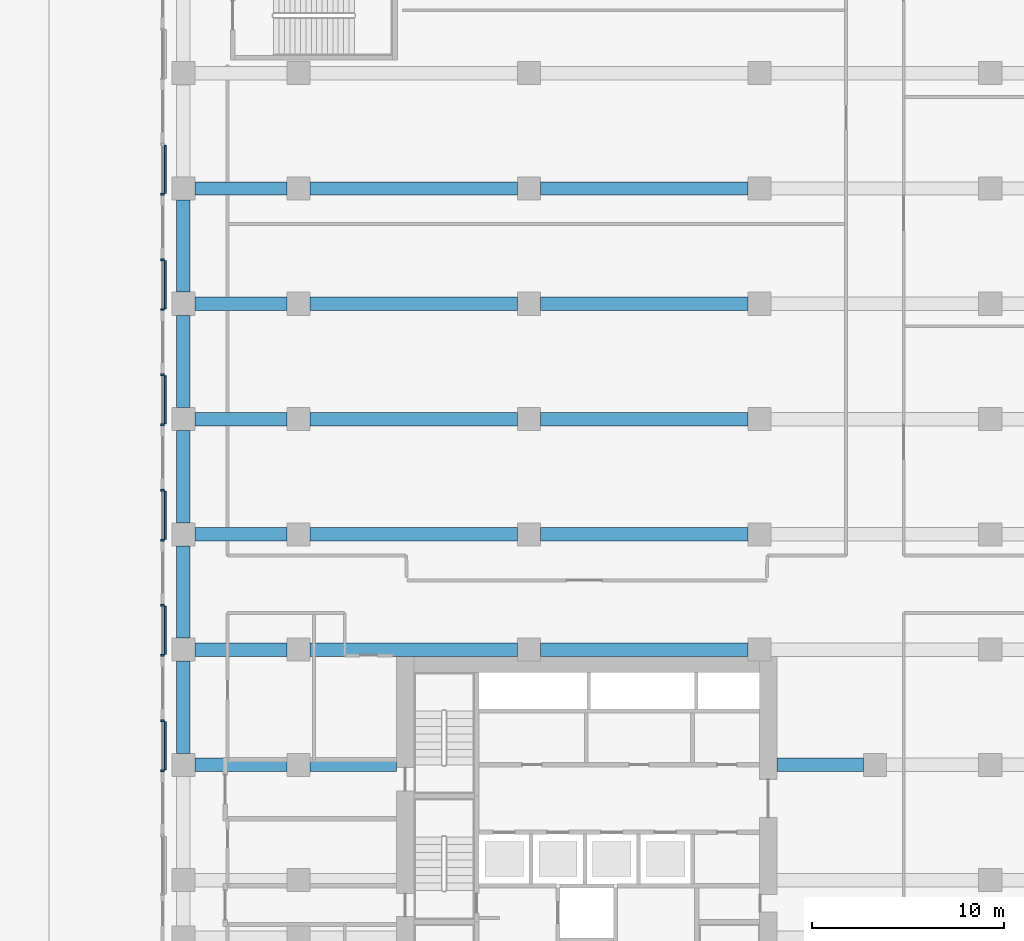
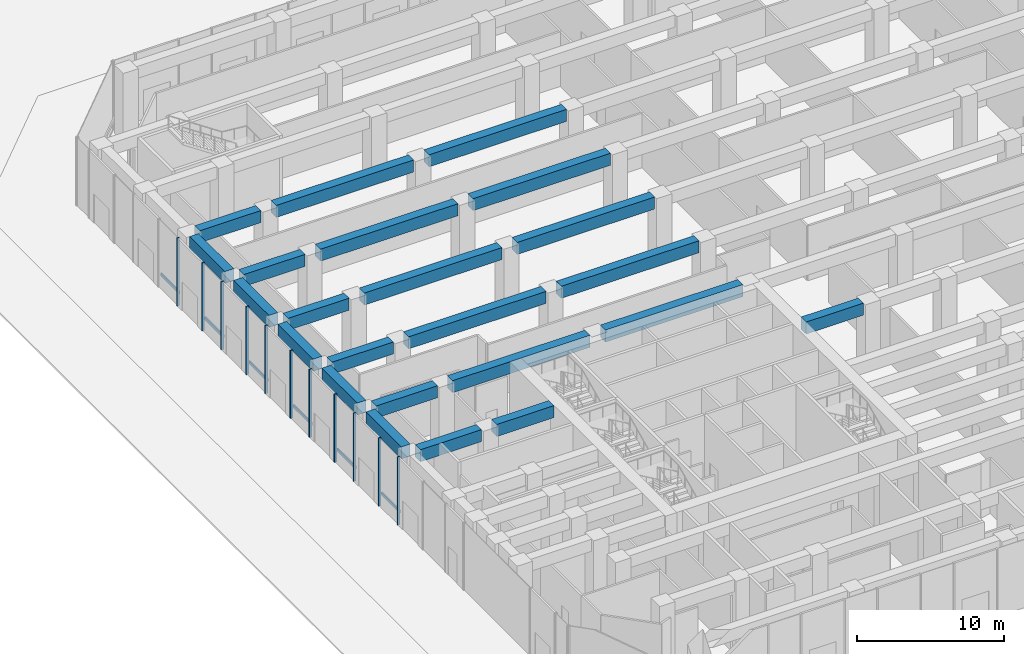
# One storey, part 7 of 32: 23 beams, 17 members, 6 elements without a shape of their own.
"""IFC4 building model written with IfcOpenShell, lengths in metres."""

from ifc_helpers import new_model, si_unit, direction, frame, origin, origin_2d, place, context, subcontext, project, spatial, rectangle, extrude, material, layer, layer_set, material_profile, profile_set, type_object, element, aggregate, save


model = new_model("IFC4")

# Units and contexts
model_context = context("Model", 3, precision=1e-05, world=origin(), true_north=direction((0.0, 1.0)))
body_context = subcontext(model_context, "Body", "Model", "MODEL_VIEW")
ifc_project = project(units=[si_unit("LENGTHUNIT", "METRE"), si_unit("AREAUNIT", "SQUARE_METRE"), si_unit("VOLUMEUNIT", "CUBIC_METRE"), si_unit("PLANEANGLEUNIT", "RADIAN"), si_unit("MASSUNIT", "GRAM", prefix="KILO")], contexts=[model_context])

# Site, building, storey
site_placement = place(None, origin())
site = spatial("IfcSite", under=ifc_project, at=site_placement, CompositionType="ELEMENT")
building_placement = place(site_placement, origin())
building = spatial("IfcBuilding", under=site, at=building_placement, Name="Welwitschia Terrace Campus", CompositionType="ELEMENT")
storey_placement = place(building_placement, origin())
storey = spatial("IfcBuildingStorey", under=building, at=storey_placement, Name="L00", CompositionType="ELEMENT", Elevation=0.0)

# Beams
ifc_material_1 = material(Name="Concrete C60/75", Category="concrete")
ifc_material_profile_1 = material_profile(ifc_material_1, rectangle(XDim=0.699951171875, YDim=1.0, at=origin_2d()))
ifc_profile_set_1 = profile_set([ifc_material_profile_1], Name="Concrete C60/75")
beam_type = type_object("IfcBeamType", Name="Base block beam 700x1000", PredefinedType="BEAM", material=ifc_profile_set_1)
beam_1_placement = place(storey_placement, frame((-5.3994140625, 20.0, 5.14990234375), z_axis=(1.0, 0.0, 0.0), x_axis=(0.0, 1.0, 0.0)))
element("IfcBeam", 1, at=beam_1_placement, inside=storey, type_object=beam_type, Name="Beam BB1", PredefinedType="BEAM", context=body_context, shape_type="SweptSolid", body=[
    extrude(rectangle(XDim=0.699951171875, YDim=1.0, at=origin_2d()), origin(), (0.0, 0.0, 1.0), 4.798828125),
])
for number, where, z_axis, x_axis, name in (
    (2, (0.6005859375, 20.0, 5.14990234375), (1.0, 0.0, 0.0), (0.0, 1.0, 0.0), "Beam BB1"),
    (3, (24.89990234375, 20.0, 5.14990234375), (1.0, 0.0, 0.0), (0.0, 1.0, 0.0), "Beam BB1"),
):
    element("IfcBeam", number, at=place(storey_placement, frame(where, z_axis=z_axis, x_axis=x_axis)), inside=storey, type_object=beam_type, Name=name, PredefinedType="BEAM", context=body_context, shape_type="SweptSolid", body=[
        extrude(rectangle(XDim=0.699951171875, YDim=1.0, at=origin_2d()), origin(), (0.0, 0.0, 1.0), 4.49951171875),
    ])
beam_2_placement = place(storey_placement, frame((-5.3994140625, 26.0, 5.14990234375), z_axis=(1.0, 0.0, 0.0), x_axis=(0.0, 1.0, 0.0)))
element("IfcBeam", 4, at=beam_2_placement, inside=storey, type_object=beam_type, Name="Beam BB1", PredefinedType="BEAM", context=body_context, shape_type="SweptSolid", body=[
    extrude(rectangle(XDim=0.699951171875, YDim=1.0, at=origin_2d()), origin(), (0.0, 0.0, 1.0), 4.798828125),
])
for number, where, z_axis, x_axis, name in (
    (5, (0.6005859375, 26.0, 5.14990234375), (1.0, 0.0, 0.0), (0.0, 1.0, 0.0), "Beam BB1"),
    (6, (12.6005859375, 26.0, 5.14990234375), (1.0, 0.0, 0.0), (0.0, 1.0, 0.0), "Beam BB1"),
):
    element("IfcBeam", number, at=place(storey_placement, frame(where, z_axis=z_axis, x_axis=x_axis)), inside=storey, type_object=beam_type, Name=name, PredefinedType="BEAM", context=body_context, shape_type="SweptSolid", body=[
        extrude(rectangle(XDim=0.699951171875, YDim=1.0, at=origin_2d()), origin(), (0.0, 0.0, 1.0), 10.798828125),
    ])
beam_3_placement = place(storey_placement, frame((-5.3994140625, 32.0, 5.14990234375), z_axis=(1.0, 0.0, 0.0), x_axis=(0.0, 1.0, 0.0)))
element("IfcBeam", 7, at=beam_3_placement, inside=storey, type_object=beam_type, Name="Beam BB1", PredefinedType="BEAM", context=body_context, shape_type="SweptSolid", body=[
    extrude(rectangle(XDim=0.699951171875, YDim=1.0, at=origin_2d()), origin(), (0.0, 0.0, 1.0), 4.798828125),
])
for number, where, z_axis, x_axis, name in (
    (8, (0.6005859375, 32.0, 5.14990234375), (1.0, 0.0, 0.0), (0.0, 1.0, 0.0), "Beam BB1"),
    (9, (12.6005859375, 32.0, 5.14990234375), (1.0, 0.0, 0.0), (0.0, 1.0, 0.0), "Beam BB1"),
):
    element("IfcBeam", number, at=place(storey_placement, frame(where, z_axis=z_axis, x_axis=x_axis)), inside=storey, type_object=beam_type, Name=name, PredefinedType="BEAM", context=body_context, shape_type="SweptSolid", body=[
        extrude(rectangle(XDim=0.699951171875, YDim=1.0, at=origin_2d()), origin(), (0.0, 0.0, 1.0), 10.798828125),
    ])
beam_4_placement = place(storey_placement, frame((-5.3994140625, 38.0, 5.14990234375), z_axis=(1.0, 0.0, 0.0), x_axis=(0.0, 1.0, 0.0)))
element("IfcBeam", 10, at=beam_4_placement, inside=storey, type_object=beam_type, Name="Beam BB1", PredefinedType="BEAM", context=body_context, shape_type="SweptSolid", body=[
    extrude(rectangle(XDim=0.699951171875, YDim=1.0, at=origin_2d()), origin(), (0.0, 0.0, 1.0), 4.798828125),
])
for number, where, z_axis, x_axis, name in (
    (11, (0.6005859375, 38.0, 5.14990234375), (1.0, 0.0, 0.0), (0.0, 1.0, 0.0), "Beam BB1"),
    (12, (12.6005859375, 38.0, 5.14990234375), (1.0, 0.0, 0.0), (0.0, 1.0, 0.0), "Beam BB1"),
):
    element("IfcBeam", number, at=place(storey_placement, frame(where, z_axis=z_axis, x_axis=x_axis)), inside=storey, type_object=beam_type, Name=name, PredefinedType="BEAM", context=body_context, shape_type="SweptSolid", body=[
        extrude(rectangle(XDim=0.699951171875, YDim=1.0, at=origin_2d()), origin(), (0.0, 0.0, 1.0), 10.798828125),
    ])
beam_5_placement = place(storey_placement, frame((-5.3994140625, 44.0, 5.14990234375), z_axis=(1.0, 0.0, 0.0), x_axis=(0.0, 1.0, 0.0)))
element("IfcBeam", 13, at=beam_5_placement, inside=storey, type_object=beam_type, Name="Beam BB1", PredefinedType="BEAM", context=body_context, shape_type="SweptSolid", body=[
    extrude(rectangle(XDim=0.699951171875, YDim=1.0, at=origin_2d()), origin(), (0.0, 0.0, 1.0), 4.798828125),
])
for number, where, z_axis, x_axis, name in (
    (14, (0.6005859375, 44.0, 5.14990234375), (1.0, 0.0, 0.0), (0.0, 1.0, 0.0), "Beam BB1"),
    (15, (12.6005859375, 44.0, 5.14990234375), (1.0, 0.0, 0.0), (0.0, 1.0, 0.0), "Beam BB1"),
):
    element("IfcBeam", number, at=place(storey_placement, frame(where, z_axis=z_axis, x_axis=x_axis)), inside=storey, type_object=beam_type, Name=name, PredefinedType="BEAM", context=body_context, shape_type="SweptSolid", body=[
        extrude(rectangle(XDim=0.699951171875, YDim=1.0, at=origin_2d()), origin(), (0.0, 0.0, 1.0), 10.798828125),
    ])
beam_6_placement = place(storey_placement, frame((-5.3994140625, 50.0, 5.14990234375), z_axis=(1.0, 0.0, 0.0), x_axis=(0.0, 1.0, 0.0)))
element("IfcBeam", 16, at=beam_6_placement, inside=storey, type_object=beam_type, Name="Beam BB1", PredefinedType="BEAM", context=body_context, shape_type="SweptSolid", body=[
    extrude(rectangle(XDim=0.699951171875, YDim=1.0, at=origin_2d()), origin(), (0.0, 0.0, 1.0), 4.798828125),
])
for number, where, z_axis, x_axis, name in (
    (17, (0.6005859375, 50.0, 5.14990234375), (1.0, 0.0, 0.0), (0.0, 1.0, 0.0), "Beam BB1"),
    (18, (12.6005859375, 50.0, 5.14990234375), (1.0, 0.0, 0.0), (0.0, 1.0, 0.0), "Beam BB1"),
):
    element("IfcBeam", number, at=place(storey_placement, frame(where, z_axis=z_axis, x_axis=x_axis)), inside=storey, type_object=beam_type, Name=name, PredefinedType="BEAM", context=body_context, shape_type="SweptSolid", body=[
        extrude(rectangle(XDim=0.699951171875, YDim=1.0, at=origin_2d()), origin(), (0.0, 0.0, 1.0), 10.798828125),
    ])
for number, where, z_axis, x_axis, name in (
    (19, (-6.0, 20.6005859375, 5.14990234375), (0.0, 1.0, 0.0), (-1.0, 0.0, 0.0), "Beam BB1"),
    (20, (-6.0, 26.6005859375, 5.14990234375), (0.0, 1.0, 0.0), (-1.0, 0.0, 0.0), "Beam BB1"),
    (21, (-6.0, 32.6005859375, 5.14990234375), (0.0, 1.0, 0.0), (-1.0, 0.0, 0.0), "Beam BB1"),
    (22, (-6.0, 38.6005859375, 5.14990234375), (0.0, 1.0, 0.0), (-1.0, 0.0, 0.0), "Beam BB1"),
    (23, (-6.0, 44.6005859375, 5.14990234375), (0.0, 1.0, 0.0), (-1.0, 0.0, 0.0), "Beam BB1"),
):
    element("IfcBeam", number, at=place(storey_placement, frame(where, z_axis=z_axis, x_axis=x_axis)), inside=storey, type_object=beam_type, Name=name, PredefinedType="BEAM", context=body_context, shape_type="SweptSolid", body=[
        extrude(rectangle(XDim=0.699951171875, YDim=1.0, at=origin_2d()), origin(), (0.0, 0.0, 1.0), 4.798828125),
    ])

# Curtain wall, member
ifc_material_2 = material(Name="Bronze anodised aluminium", Category="aluminium")
ifc_layer = layer(ifc_material_2, 0.199951171875)
ifc_layer_set = layer_set([ifc_layer], Name="Bronze anodised aluminium")
curtain_wall_type = type_object("IfcCurtainWallType", Name="Curtain wall CW4 arcade shopfront 7500", PredefinedType="NOTDEFINED", material=ifc_layer_set)
curtain_wall_1_placement = place(storey_placement, origin())
curtain_wall_1 = element("IfcCurtainWall", 24, at=curtain_wall_1_placement, inside=storey, type_object=curtain_wall_type, Name="CW L00.6.g2", PredefinedType="NOTDEFINED")
ifc_material_3 = material(Name="Bronze anodised aluminium", Category="aluminium")
ifc_material_profile_2 = material_profile(ifc_material_3, rectangle(XDim=0.199951171875, YDim=0.10009765625, at=origin_2d()))
ifc_profile_set_2 = profile_set([ifc_material_profile_2], Name="Bronze anodised aluminium")
member_type_1 = type_object("IfcMemberType", Name="Mullion 100x200", PredefinedType="MULLION", material=ifc_profile_set_2)
member_1_placement = place(storey_placement, frame((-7.0849609375, 49.699951171875, 0.0), z_axis=(0.0, 0.0, 1.0), x_axis=(1.0, 0.0, 0.0)))
member_1 = element("IfcMember", 25, at=member_1_placement, type_object=member_type_1, Name="Mullion L00.6.g2.1", PredefinedType="MULLION", context=body_context, shape_type="SweptSolid", body=[
    extrude(rectangle(XDim=0.199951171875, YDim=0.10009765625, at=origin_2d()), origin(), (0.0, 0.0, 1.0), 5.64990234375),
])

# Curtain wall, members
curtain_wall_2_placement = place(storey_placement, origin())
curtain_wall_2 = element("IfcCurtainWall", 26, at=curtain_wall_2_placement, inside=storey, type_object=curtain_wall_type, Name="CW L00.6.g3", PredefinedType="NOTDEFINED")
member_2_placement = place(storey_placement, frame((-7.0849609375, 46.300048828125, 0.0), z_axis=(0.0, 0.0, 1.0), x_axis=(1.0, 0.0, 0.0)))
member_2 = element("IfcMember", 27, at=member_2_placement, type_object=member_type_1, Name="Mullion L00.6.g3.0", PredefinedType="MULLION", context=body_context, shape_type="SweptSolid", body=[
    extrude(rectangle(XDim=0.199951171875, YDim=0.10009765625, at=origin_2d()), origin(), (0.0, 0.0, 1.0), 5.64990234375),
])
member_3_placement = place(storey_placement, frame((-7.0849609375, 43.699951171875, 0.0), z_axis=(0.0, 0.0, 1.0), x_axis=(1.0, 0.0, 0.0)))
member_3 = element("IfcMember", 28, at=member_3_placement, type_object=member_type_1, Name="Mullion L00.6.g3.1", PredefinedType="MULLION", context=body_context, shape_type="SweptSolid", body=[
    extrude(rectangle(XDim=0.199951171875, YDim=0.10009765625, at=origin_2d()), origin(), (0.0, 0.0, 1.0), 5.64990234375),
])

curtain_wall_3_placement = place(storey_placement, origin())
curtain_wall_3 = element("IfcCurtainWall", 29, at=curtain_wall_3_placement, inside=storey, type_object=curtain_wall_type, Name="CW L00.6.g4", PredefinedType="NOTDEFINED")
member_4_placement = place(storey_placement, frame((-7.0849609375, 40.300048828125, 0.0), z_axis=(0.0, 0.0, 1.0), x_axis=(1.0, 0.0, 0.0)))
member_4 = element("IfcMember", 30, at=member_4_placement, type_object=member_type_1, Name="Mullion L00.6.g4.0", PredefinedType="MULLION", context=body_context, shape_type="SweptSolid", body=[
    extrude(rectangle(XDim=0.199951171875, YDim=0.10009765625, at=origin_2d()), origin(), (0.0, 0.0, 1.0), 5.64990234375),
])
member_5_placement = place(storey_placement, frame((-7.0849609375, 37.699951171875, 0.0), z_axis=(0.0, 0.0, 1.0), x_axis=(1.0, 0.0, 0.0)))
member_5 = element("IfcMember", 31, at=member_5_placement, type_object=member_type_1, Name="Mullion L00.6.g4.1", PredefinedType="MULLION", context=body_context, shape_type="SweptSolid", body=[
    extrude(rectangle(XDim=0.199951171875, YDim=0.10009765625, at=origin_2d()), origin(), (0.0, 0.0, 1.0), 5.64990234375),
])

curtain_wall_4_placement = place(storey_placement, origin())
curtain_wall_4 = element("IfcCurtainWall", 32, at=curtain_wall_4_placement, inside=storey, type_object=curtain_wall_type, Name="CW L00.6.g5", PredefinedType="NOTDEFINED")
member_6_placement = place(storey_placement, frame((-7.0849609375, 34.300048828125, 0.0), z_axis=(0.0, 0.0, 1.0), x_axis=(1.0, 0.0, 0.0)))
member_6 = element("IfcMember", 33, at=member_6_placement, type_object=member_type_1, Name="Mullion L00.6.g5.0", PredefinedType="MULLION", context=body_context, shape_type="SweptSolid", body=[
    extrude(rectangle(XDim=0.199951171875, YDim=0.10009765625, at=origin_2d()), origin(), (0.0, 0.0, 1.0), 5.64990234375),
])
member_7_placement = place(storey_placement, frame((-7.0849609375, 31.699951171875, 0.0), z_axis=(0.0, 0.0, 1.0), x_axis=(1.0, 0.0, 0.0)))
member_7 = element("IfcMember", 34, at=member_7_placement, type_object=member_type_1, Name="Mullion L00.6.g5.1", PredefinedType="MULLION", context=body_context, shape_type="SweptSolid", body=[
    extrude(rectangle(XDim=0.199951171875, YDim=0.10009765625, at=origin_2d()), origin(), (0.0, 0.0, 1.0), 5.64990234375),
])

curtain_wall_5_placement = place(storey_placement, origin())
curtain_wall_5 = element("IfcCurtainWall", 35, at=curtain_wall_5_placement, inside=storey, type_object=curtain_wall_type, Name="CW L00.6.g6", PredefinedType="NOTDEFINED")
member_8_placement = place(storey_placement, frame((-7.0849609375, 28.300048828125, 0.0), z_axis=(0.0, 0.0, 1.0), x_axis=(1.0, 0.0, 0.0)))
member_8 = element("IfcMember", 36, at=member_8_placement, type_object=member_type_1, Name="Mullion L00.6.g6.0", PredefinedType="MULLION", context=body_context, shape_type="SweptSolid", body=[
    extrude(rectangle(XDim=0.199951171875, YDim=0.10009765625, at=origin_2d()), origin(), (0.0, 0.0, 1.0), 5.64990234375),
])
member_9_placement = place(storey_placement, frame((-7.0849609375, 25.699951171875, 0.0), z_axis=(0.0, 0.0, 1.0), x_axis=(1.0, 0.0, 0.0)))
member_9 = element("IfcMember", 37, at=member_9_placement, type_object=member_type_1, Name="Mullion L00.6.g6.1", PredefinedType="MULLION", context=body_context, shape_type="SweptSolid", body=[
    extrude(rectangle(XDim=0.199951171875, YDim=0.10009765625, at=origin_2d()), origin(), (0.0, 0.0, 1.0), 5.64990234375),
])

curtain_wall_6_placement = place(storey_placement, origin())
curtain_wall_6 = element("IfcCurtainWall", 38, at=curtain_wall_6_placement, inside=storey, type_object=curtain_wall_type, Name="CW L00.6.g7", PredefinedType="NOTDEFINED")
member_10_placement = place(storey_placement, frame((-7.0849609375, 22.300048828125, 0.0), z_axis=(0.0, 0.0, 1.0), x_axis=(1.0, 0.0, 0.0)))
member_10 = element("IfcMember", 39, at=member_10_placement, type_object=member_type_1, Name="Mullion L00.6.g7.0", PredefinedType="MULLION", context=body_context, shape_type="SweptSolid", body=[
    extrude(rectangle(XDim=0.199951171875, YDim=0.10009765625, at=origin_2d()), origin(), (0.0, 0.0, 1.0), 5.64990234375),
])
member_11_placement = place(storey_placement, frame((-7.0849609375, 19.699951171875, 0.0), z_axis=(0.0, 0.0, 1.0), x_axis=(1.0, 0.0, 0.0)))
member_11 = element("IfcMember", 40, at=member_11_placement, type_object=member_type_1, Name="Mullion L00.6.g7.1", PredefinedType="MULLION", context=body_context, shape_type="SweptSolid", body=[
    extrude(rectangle(XDim=0.199951171875, YDim=0.10009765625, at=origin_2d()), origin(), (0.0, 0.0, 1.0), 5.64990234375),
])

# Member
ifc_material_4 = material(Name="Bronze anodised aluminium", Category="aluminium")
ifc_material_profile_3 = material_profile(ifc_material_4, rectangle(XDim=0.10009765625, YDim=0.25, at=origin_2d()))
ifc_profile_set_3 = profile_set([ifc_material_profile_3], Name="Bronze anodised aluminium")
member_type_2 = type_object("IfcMemberType", Name="Transom 100x250", PredefinedType="USERDEFINED", material=ifc_profile_set_3)
member_12_placement = place(storey_placement, frame((-6.93505859375, 52.25, 1.0), z_axis=(0.0, -1.0, 0.0), x_axis=(1.0, 0.0, 0.0)))
member_12 = element("IfcMember", 41, at=member_12_placement, type_object=member_type_2, Name="Transom L00.6.g2", ObjectType="TRANSOM", PredefinedType="USERDEFINED", context=body_context, shape_type="SweptSolid", body=[
    extrude(rectangle(XDim=0.10009765625, YDim=0.25, at=origin_2d()), origin(), (0.0, 0.0, 1.0), 2.5),
])

aggregate(curtain_wall_1, [member_1, member_12])

member_13_placement = place(storey_placement, frame((-6.93505859375, 46.25, 1.0), z_axis=(0.0, -1.0, 0.0), x_axis=(1.0, 0.0, 0.0)))
member_13 = element("IfcMember", 42, at=member_13_placement, type_object=member_type_2, Name="Transom L00.6.g3", ObjectType="TRANSOM", PredefinedType="USERDEFINED", context=body_context, shape_type="SweptSolid", body=[
    extrude(rectangle(XDim=0.10009765625, YDim=0.25, at=origin_2d()), origin(), (0.0, 0.0, 1.0), 2.5),
])

aggregate(curtain_wall_2, [member_2, member_3, member_13])

member_14_placement = place(storey_placement, frame((-6.93505859375, 40.25, 1.0), z_axis=(0.0, -1.0, 0.0), x_axis=(1.0, 0.0, 0.0)))
member_14 = element("IfcMember", 43, at=member_14_placement, type_object=member_type_2, Name="Transom L00.6.g4", ObjectType="TRANSOM", PredefinedType="USERDEFINED", context=body_context, shape_type="SweptSolid", body=[
    extrude(rectangle(XDim=0.10009765625, YDim=0.25, at=origin_2d()), origin(), (0.0, 0.0, 1.0), 2.5),
])

aggregate(curtain_wall_3, [member_4, member_5, member_14])

member_15_placement = place(storey_placement, frame((-6.93505859375, 34.25, 1.0), z_axis=(0.0, -1.0, 0.0), x_axis=(1.0, 0.0, 0.0)))
member_15 = element("IfcMember", 44, at=member_15_placement, type_object=member_type_2, Name="Transom L00.6.g5", ObjectType="TRANSOM", PredefinedType="USERDEFINED", context=body_context, shape_type="SweptSolid", body=[
    extrude(rectangle(XDim=0.10009765625, YDim=0.25, at=origin_2d()), origin(), (0.0, 0.0, 1.0), 2.5),
])

aggregate(curtain_wall_4, [member_6, member_7, member_15])

member_16_placement = place(storey_placement, frame((-6.93505859375, 28.25, 1.0), z_axis=(0.0, -1.0, 0.0), x_axis=(1.0, 0.0, 0.0)))
member_16 = element("IfcMember", 45, at=member_16_placement, type_object=member_type_2, Name="Transom L00.6.g6", ObjectType="TRANSOM", PredefinedType="USERDEFINED", context=body_context, shape_type="SweptSolid", body=[
    extrude(rectangle(XDim=0.10009765625, YDim=0.25, at=origin_2d()), origin(), (0.0, 0.0, 1.0), 2.5),
])

aggregate(curtain_wall_5, [member_8, member_9, member_16])

member_17_placement = place(storey_placement, frame((-6.93505859375, 22.25, 1.0), z_axis=(0.0, -1.0, 0.0), x_axis=(1.0, 0.0, 0.0)))
member_17 = element("IfcMember", 46, at=member_17_placement, type_object=member_type_2, Name="Transom L00.6.g7", ObjectType="TRANSOM", PredefinedType="USERDEFINED", context=body_context, shape_type="SweptSolid", body=[
    extrude(rectangle(XDim=0.10009765625, YDim=0.25, at=origin_2d()), origin(), (0.0, 0.0, 1.0), 2.5),
])

aggregate(curtain_wall_6, [member_10, member_11, member_17])

save(model, "model.ifc")
